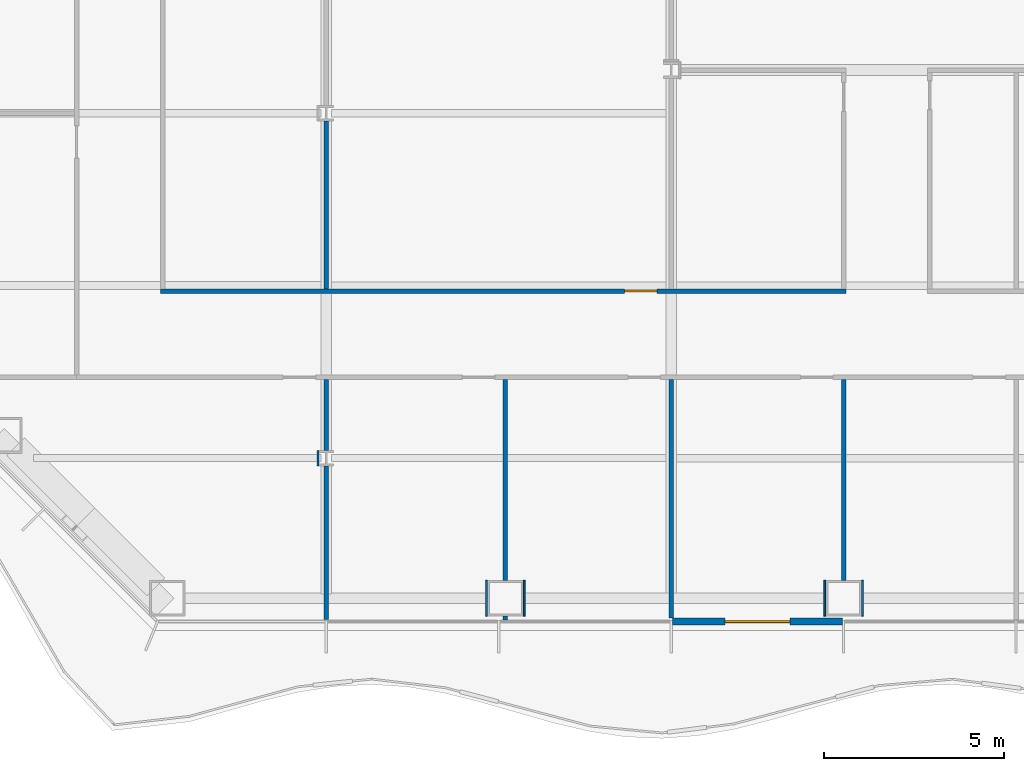
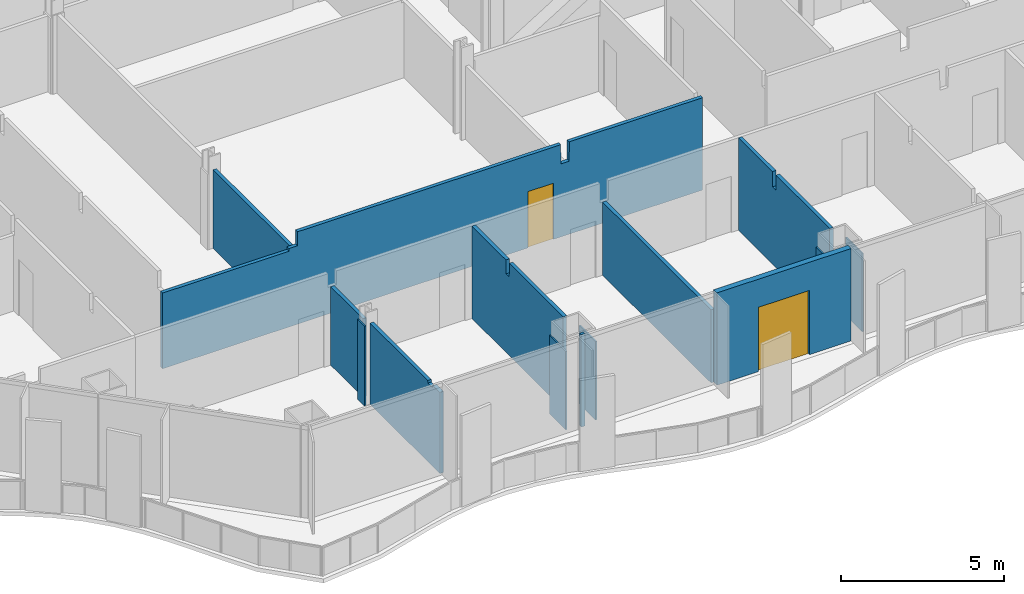
# One storey, part 6 of 21: 14 walls, 2 doors, 2 openings.
"""IFC4 building model written with IfcOpenShell, lengths in metres."""

import ifcopenshell
import ifcopenshell.guid

model = None  # the IFC model being written
_history = None  # IfcOwnerHistory: only IFC2X3 demands one
_inside = {}  # id of a spatial element -> (the spatial element, [elements in it])
_under = {}  # id of a project, library or spatial element -> (it, [spatial elements below it])
_declared = {}  # id of a project -> (the project, [libraries it declares])
_typed = {}  # id of a type object -> (the type object, [elements of that type])
_made_of = {}  # id of a material, layer set ... -> (it, [elements and type objects made of it])


def new_model(schema):
    """Start an empty IFC model of exactly this schema.

    Asked for "IFC4X3", IfcOpenShell would pick the latest addendum, in which some entities
    have other attributes; the version numbers below select the first issue.
    IFC2X3 requires an IfcOwnerHistory on every rooted entity: one is made here for all.
    """
    global model, _history
    if schema == "IFC4X3":
        model = ifcopenshell.file(schema_version=(4, 3, 0, 0))
    else:
        model = ifcopenshell.file(schema=schema)
    _inside.clear()
    _under.clear()
    _declared.clear()
    _typed.clear()
    _made_of.clear()
    _history = None
    if model.schema == "IFC2X3":
        org = make("IfcOrganization", Name="unknown")
        user = make(
            "IfcPersonAndOrganization",
            ThePerson=make("IfcPerson", FamilyName="unknown"),
            TheOrganization=org,
        )
        app = make(
            "IfcApplication",
            ApplicationDeveloper=org,
            Version="unknown",
            ApplicationFullName="unknown",
            ApplicationIdentifier="unknown",
        )
        _history = make(
            "IfcOwnerHistory",
            OwningUser=user,
            OwningApplication=app,
            ChangeAction="ADDED",
            CreationDate=0,
        )
    return model


def make(cls, **values):
    """One entity of the class cls with the attributes given. An attribute that is None is left unset."""
    return model.create_entity(
        cls, **{name: value for name, value in values.items() if value is not None}
    )


def rooted(cls, **values):
    """An entity with a GlobalId (a new one), such as an element, a storey or a relation."""
    return make(cls, GlobalId=ifcopenshell.guid.new(), OwnerHistory=_history, **values)


def si_unit(unit_type, name, prefix=None):
    """IfcSIUnit, for example si_unit("LENGTHUNIT", "METRE", prefix="MILLI")."""
    return make("IfcSIUnit", UnitType=unit_type, Prefix=prefix, Name=name)


def assignment(units):
    """IfcUnitAssignment: the units of a project."""
    return None if units is None else make("IfcUnitAssignment", Units=units)


def point(xyz):
    """IfcCartesianPoint."""
    return None if xyz is None else make("IfcCartesianPoint", Coordinates=xyz)


def direction(xyz):
    """IfcDirection."""
    return None if xyz is None else make("IfcDirection", DirectionRatios=xyz)


def frame(location, z_axis=None, x_axis=None):
    """IfcAxis2Placement3D, a coordinate frame: its origin and axes. An axis left out is left unset."""
    return make(
        "IfcAxis2Placement3D",
        Location=point(location),
        Axis=direction(z_axis),
        RefDirection=direction(x_axis),
    )


def frame_2d(location, x_axis=None):
    """IfcAxis2Placement2D, a coordinate frame in the plane: its origin and x axis."""
    return make(
        "IfcAxis2Placement2D", Location=point(location), RefDirection=direction(x_axis)
    )


def origin():
    """The frame at (0, 0, 0) with its axes left unset."""
    return frame((0.0, 0.0, 0.0))


def place(relative_to, where):
    """IfcLocalPlacement: puts the frame where relative to a parent placement (None: the world)."""
    return make(
        "IfcLocalPlacement", PlacementRelTo=relative_to, RelativePlacement=where
    )


def context(
    kind, dimensions, precision=None, world=None, true_north=None, identifier=None
):
    """IfcGeometricRepresentationContext, for example the 3D "Model" context."""
    return make(
        "IfcGeometricRepresentationContext",
        ContextIdentifier=identifier,
        ContextType=kind,
        CoordinateSpaceDimension=dimensions,
        Precision=precision,
        WorldCoordinateSystem=world,
        TrueNorth=true_north,
    )


def subcontext(parent, identifier, kind, view, scale=None):
    """IfcGeometricRepresentationSubContext, for example "Body" below "Model"."""
    return make(
        "IfcGeometricRepresentationSubContext",
        ContextIdentifier=identifier,
        ContextType=kind,
        ParentContext=parent,
        TargetScale=scale,
        TargetView=view,
    )


def project(units=None, contexts=None):
    """IfcProject with its units and contexts."""
    return rooted(
        "IfcProject",
        Name="project",
        RepresentationContexts=contexts,
        UnitsInContext=assignment(units),
    )


def spatial(cls, under=None, at=None, **own):
    """A site, building, storey or space (cls), placed at a placement, below another one or the project."""
    s = rooted(cls, ObjectPlacement=at, **own)
    if under is not None:
        _under.setdefault(under.id(), (under, []))[1].append(s)
    return s


def polyline(points):
    """IfcPolyline through the points."""
    return make("IfcPolyline", Points=[point(p) for p in points])


def profile(cls, at=None, kind="AREA", **sizes):
    """A parametric profile (cls). Its sizes go by their IFC names, for example OverallWidth=200.0."""
    return make(cls, ProfileType=kind, Position=at, **sizes)


def rectangle(**sizes):
    """IfcRectangleProfileDef."""
    return profile("IfcRectangleProfileDef", **sizes)


def outline(outer, holes=None, kind="AREA"):
    """IfcArbitraryClosedProfileDef: a profile drawn as a closed curve; with holes, ...WithVoids."""
    if holes is None:
        return make("IfcArbitraryClosedProfileDef", ProfileType=kind, OuterCurve=outer)
    return make(
        "IfcArbitraryProfileDefWithVoids",
        ProfileType=kind,
        OuterCurve=outer,
        InnerCurves=holes,
    )


def extrude(swept, where, along, depth):
    """IfcExtrudedAreaSolid: the profile swept, set in the frame where, extruded along a direction by depth."""
    return make(
        "IfcExtrudedAreaSolid",
        SweptArea=swept,
        Position=where,
        ExtrudedDirection=direction(along),
        Depth=depth,
    )


def shape(context_of_items, identifier, shape_type, items):
    """IfcShapeRepresentation: the items that make up one representation, for example the "Body"."""
    return make(
        "IfcShapeRepresentation",
        ContextOfItems=context_of_items,
        RepresentationIdentifier=identifier,
        RepresentationType=shape_type,
        Items=items,
    )


def material(Name=None, Category=None):
    """IfcMaterial."""
    return make("IfcMaterial", Name=Name, Category=Category)


def layer(
    of_material, thickness, ventilated=None, Name=None, Category=None, Priority=None
):
    """IfcMaterialLayer: one layer of a wall or slab, of a material (None: an air gap)."""
    return make(
        "IfcMaterialLayer",
        Material=of_material,
        LayerThickness=thickness,
        IsVentilated=ventilated,
        Name=Name,
        Category=Category,
        Priority=Priority,
    )


def layer_set(layers, Name=None):
    """IfcMaterialLayerSet."""
    return make("IfcMaterialLayerSet", MaterialLayers=layers, LayerSetName=Name)


def made_of(thing, what):
    """Note that an element or type object is made of a material, layer set ...; save() writes the relation."""
    if what is not None:
        _made_of.setdefault(what.id(), (what, []))[1].append(thing)
    return thing


def type_object(cls, material=None, **own):
    """A type object (cls), such as IfcWallType, which elements share."""
    return made_of(rooted(cls, **own), material)


def element(
    cls,
    number,
    at=None,
    inside=None,
    cuts=None,
    type_object=None,
    material=None,
    context=None,
    identifier="Body",
    shape_type=None,
    held_by="IfcProductDefinitionShape",
    body=None,
    shapes=None,
    **own,
):
    """One element of the class cls, such as IfcWall. Its Tag is "e" and its number.

    at: its placement. inside: the storey or other place that contains it. cuts: it is an
    opening in that element (IfcRelVoidsElement). A single representation is given by context,
    identifier, shape_type and body (its items); several are given by shapes. held_by: the class
    of the entity that holds the representations. save() writes the other relations.
    """
    e = rooted(cls, Tag="e%d" % number, ObjectPlacement=at, **own)
    if body is not None:
        shapes = [shape(context, identifier, shape_type, body)]
    if shapes is not None:
        e.Representation = make(held_by, Representations=shapes)
    if inside is not None:
        _inside.setdefault(inside.id(), (inside, []))[1].append(e)
    if cuts is not None:
        rooted(
            "IfcRelVoidsElement", RelatingBuildingElement=cuts, RelatedOpeningElement=e
        )
    if type_object is not None:
        _typed.setdefault(type_object.id(), (type_object, []))[1].append(e)
    return made_of(e, material)


def fill(opening, filler):
    """IfcRelFillsElement: the door or window that sits in an opening."""
    return rooted(
        "IfcRelFillsElement",
        RelatingOpeningElement=opening,
        RelatedBuildingElement=filler,
    )


def aggregate(whole, parts):
    """IfcRelAggregates: a whole, such as a stair, and the parts it consists of."""
    return rooted("IfcRelAggregates", RelatingObject=whole, RelatedObjects=parts)


def save(model, path):
    """Write the relations noted so far, then the file.

    IfcRelAggregates (storeys below a building ...), IfcRelContainedInSpatialStructure (elements
    in a storey), IfcRelDefinesByType, IfcRelAssociatesMaterial and IfcRelDeclares: one each for
    every whole, place, type object, material and project.
    """
    for whole, parts in _under.values():
        aggregate(whole, parts)
    for where, things in _inside.values():
        rooted(
            "IfcRelContainedInSpatialStructure",
            RelatedElements=things,
            RelatingStructure=where,
        )
    for kind, things in _typed.values():
        rooted("IfcRelDefinesByType", RelatedObjects=things, RelatingType=kind)
    for what, things in _made_of.values():
        rooted("IfcRelAssociatesMaterial", RelatedObjects=things, RelatingMaterial=what)
    for by, libraries in _declared.values():
        rooted("IfcRelDeclares", RelatingContext=by, RelatedDefinitions=libraries)
    model.write(path)


model = new_model("IFC4")

# Units and contexts
model_context = context("Model", 3, precision=1e-05, world=origin(), true_north=direction((0.0, 1.0)))
body_context = subcontext(model_context, "Body", "Model", "MODEL_VIEW")
ifc_project = project(units=[si_unit("LENGTHUNIT", "METRE"), si_unit("AREAUNIT", "SQUARE_METRE"), si_unit("VOLUMEUNIT", "CUBIC_METRE"), si_unit("PLANEANGLEUNIT", "RADIAN"), si_unit("MASSUNIT", "GRAM", prefix="KILO")], contexts=[model_context])

# Site, building, storey
site_placement = place(None, origin())
site = spatial("IfcSite", under=ifc_project, at=site_placement, CompositionType="ELEMENT")
building_placement = place(site_placement, origin())
building = spatial("IfcBuilding", under=site, at=building_placement, Name="Cairn Pilgrim Tower", CompositionType="ELEMENT")
storey_placement = place(building_placement, frame((0.0, 0.0, 54.60009765625)))
storey = spatial("IfcBuildingStorey", under=building, at=storey_placement, Name="L11", CompositionType="ELEMENT", Elevation=54.60009765625)

# Wall, opening, door
ifc_material_1 = material(Name="Bronze anodised aluminium insulated sandwich panel with mineral wool fill", Category="aluminium")
ifc_layer_1 = layer(ifc_material_1, 0.199951171875)
ifc_layer_set_1 = layer_set([ifc_layer_1], Name="BRONZE INFILL FRAME WALL 200")
wall_type_1 = type_object("IfcWallType", Name="BRONZE INFILL FRAME WALL 200", PredefinedType="NOTDEFINED", material=ifc_layer_set_1)
wall_1_placement = place(storey_placement, frame((-4.77001953125, -23.75, 0.0), z_axis=(0.0, 0.0, 1.0), x_axis=(1.0, 0.0, 0.0)))
wall_1 = element("IfcWall", 1, at=wall_1_placement, inside=storey, type_object=wall_type_1, Name="Bronze infill frame wall IW-S4", PredefinedType="NOTDEFINED", context=body_context, shape_type="SweptSolid", body=[
    extrude(rectangle(XDim=4.739990234375, YDim=0.199951171875, at=frame_2d((2.3701171875, 0.0))), origin(), (0.0, 0.0, 1.0), 3.449951171875),
])
opening_1_placement = place(wall_1_placement, frame((1.469970703125, 0.0, 0.0)))
opening_1 = element("IfcOpeningElement", 2, at=opening_1_placement, cuts=wall_1, Name="Opening 1104B", PredefinedType="OPENING", context=body_context, shape_type="SweptSolid", body=[
    extrude(rectangle(XDim=1.800048828125, YDim=2.39990234375, at=frame_2d((0.89990234375, 1.199951171875))), frame((0.0, 0.10986328125, 0.0), z_axis=(0.0, -1.0, 0.0), x_axis=(1.0, 0.0, 0.0)), (0.0, 0.0, 1.0), 0.219970703125),
])
ifc_material_2 = material(Name="Bronze anodised aluminium frame with tinted low-E glass", Category="aluminium")
door_type_1 = type_object("IfcDoorType", Name="BALCONY SLIDING DOOR 1800x2400", OperationType="DOUBLE_DOOR_SLIDING", PredefinedType="DOOR", material=ifc_material_2)
door_1_placement = place(opening_1_placement, origin())
door_1 = element("IfcDoor", 3, at=door_1_placement, inside=storey, type_object=door_type_1, Name="Balcony sliding door 1104B", OperationType="SINGLE_SWING_LEFT", OverallHeight=2.39990234375, OverallWidth=1.800048828125, PredefinedType="DOOR", context=body_context, shape_type="SweptSolid", body=[
    extrude(rectangle(XDim=1.800048828125, YDim=2.39990234375, at=frame_2d((0.89990234375, 1.199951171875))), frame((0.0, 0.02490234375, 0.0), z_axis=(0.0, -1.0, 0.0), x_axis=(1.0, 0.0, 0.0)), (0.0, 0.0, 1.0), 0.050048828125),
])
fill(opening_1, door_1)

# Walls
ifc_material_3 = material(Name="Gypsum partition")
ifc_layer_2 = layer(ifc_material_3, 0.125)
ifc_layer_set_2 = layer_set([ifc_layer_2], Name="PARTITION 125 DRYWALL EI 60")
wall_type_2 = type_object("IfcWallType", Name="PARTITION 125 DRYWALL EI 60", PredefinedType="PARTITIONING", material=ifc_layer_set_2)
wall_2_placement = place(storey_placement, frame((-14.39990234375, -23.68994140625, 0.0), z_axis=(0.0, 0.0, 1.0), x_axis=(0.0, 1.0, 0.0)))
element("IfcWall", 4, at=wall_2_placement, inside=storey, type_object=wall_type_2, Name="PARTITION W001", PredefinedType="PARTITIONING", context=body_context, shape_type="SweptSolid", body=[
    extrude(outline(polyline([(0.0, 0.0), (4.27734375, 0.0), (4.277587890625, 3.02978515625), (0.739990234375, 3.02978515625), (0.738037109375, 2.929931640625), (0.43994140625, 2.929931640625), (0.43798828125, 3.02978515625), (0.0, 3.02978515625), (0.0, 0.0)])), frame((0.0, 0.0625, 0.0), z_axis=(0.0, -1.0, 0.0), x_axis=(1.0, 0.0, 0.0)), (0.0, 0.0, 1.0), 0.125),
])
wall_3_placement = place(storey_placement, frame((-9.4140625, -23.702880859375, 0.0), z_axis=(0.0, 0.0, 1.0), x_axis=(0.0, 1.0, 0.0)))
element("IfcWall", 5, at=wall_3_placement, inside=storey, type_object=wall_type_2, Name="PARTITION W002", PredefinedType="PARTITIONING", context=body_context, shape_type="SweptSolid", body=[
    extrude(rectangle(XDim=0.102783203125, YDim=0.125, at=frame_2d((0.05126953125, 0.0))), origin(), (0.0, 0.0, 1.0), 3.449951171875),
])
wall_4_placement = place(storey_placement, frame((-4.800048828125, -23.64990234375, 0.0), z_axis=(0.0, 0.0, 1.0), x_axis=(0.0, 1.0, 0.0)))
element("IfcWall", 6, at=wall_4_placement, inside=storey, type_object=wall_type_2, Name="PARTITION W003", PredefinedType="PARTITIONING", context=body_context, shape_type="SweptSolid", body=[
    extrude(rectangle(XDim=6.637451171875, YDim=0.125, at=frame_2d((3.31884765625, 0.0))), origin(), (0.0, 0.0, 1.0), 2.72998046875),
])
wall_5_placement = place(storey_placement, frame((-9.4140625, -22.60009765625, 0.0), z_axis=(0.0, 0.0, 1.0), x_axis=(0.0, 1.0, 0.0)))
element("IfcWall", 7, at=wall_5_placement, inside=storey, type_object=wall_type_2, Name="PARTITION W007", PredefinedType="PARTITIONING", context=body_context, shape_type="SweptSolid", body=[
    extrude(outline(polyline([(0.0, 0.0), (5.587646484375, 0.0), (5.58740234375, 3.449951171875), (3.5, 3.449951171875), (3.498046875, 2.929931640625), (3.300048828125, 2.929931640625), (3.298095703125, 3.449951171875), (0.0, 3.449951171875), (0.0, 0.0)])), frame((0.0, 0.0625, 0.0), z_axis=(0.0, -1.0, 0.0), x_axis=(1.0, 0.0, 0.0)), (0.0, 0.0, 1.0), 0.125),
])
wall_6_placement = place(storey_placement, frame((0.0, -22.60009765625, 0.0), z_axis=(0.0, 0.0, 1.0), x_axis=(0.0, 1.0, 0.0)))
element("IfcWall", 8, at=wall_6_placement, inside=storey, type_object=wall_type_2, Name="PARTITION W008", PredefinedType="PARTITIONING", context=body_context, shape_type="SweptSolid", body=[
    extrude(outline(polyline([(0.0, 0.0), (5.587646484375, 0.0), (5.58740234375, 3.449951171875), (3.5048828125, 3.449951171875), (3.5029296875, 2.8798828125), (3.294921875, 2.8798828125), (3.29296875, 3.449951171875), (0.0, 3.449951171875), (0.0, 0.0)])), frame((0.0, 0.0625, 0.0), z_axis=(0.0, -1.0, 0.0), x_axis=(1.0, 0.0, 0.0)), (0.0, 0.0, 1.0), 0.125),
])
wall_7_placement = place(storey_placement, frame((-14.39990234375, -18.987548828125, 0.0), z_axis=(0.0, 0.0, 1.0), x_axis=(0.0, 1.0, 0.0)))
element("IfcWall", 9, at=wall_7_placement, inside=storey, type_object=wall_type_2, Name="PARTITION W011", PredefinedType="PARTITIONING", context=body_context, shape_type="SweptSolid", body=[
    extrude(rectangle(XDim=1.97509765625, YDim=0.125, at=frame_2d((0.987548828125, 0.0))), origin(), (0.0, 0.0, 1.0), 2.929931640625),
])

# Wall, opening, door
wall_8_placement = place(storey_placement, frame((-19.012451171875, -14.550048828125, 0.0), z_axis=(0.0, 0.0, 1.0), x_axis=(1.0, 0.0, 0.0)))
wall_8 = element("IfcWall", 10, at=wall_8_placement, inside=storey, type_object=wall_type_2, Name="PARTITION W016", PredefinedType="PARTITIONING", context=body_context, shape_type="SweptSolid", body=[
    extrude(outline(polyline([(0.0, 0.0), (19.074951171875, 0.0), (19.074951171875, 3.449951171875), (14.362548828125, 3.449951171875), (14.360595703125, 2.72998046875), (14.0625, 2.72998046875), (14.060546875, 3.449951171875), (4.762451171875, 3.449951171875), (4.760498046875, 2.929931640625), (4.46240234375, 2.929931640625), (4.46044921875, 2.829833984375), (0.0, 2.829833984375), (0.0, 0.0)])), frame((0.0, 0.0625, 0.0), z_axis=(0.0, -1.0, 0.0), x_axis=(1.0, 0.0, 0.0)), (0.0, 0.0, 1.0), 0.125),
])
opening_2_placement = place(wall_8_placement, frame((12.91259765625, 0.0, 0.0)))
opening_2 = element("IfcOpeningElement", 11, at=opening_2_placement, cuts=wall_8, Name="Opening 1128", PredefinedType="OPENING", context=body_context, shape_type="SweptSolid", body=[
    extrude(rectangle(XDim=0.89990234375, YDim=2.10009765625, at=frame_2d((0.449951171875, 1.050048828125))), frame((0.0, 0.072509765625, 0.0), z_axis=(0.0, -1.0, 0.0), x_axis=(1.0, 0.0, 0.0)), (0.0, 0.0, 1.0), 0.14501953125),
])
ifc_material_4 = material(Name="Steel-faced fire door leaf", Category="steel")
door_type_2 = type_object("IfcDoorType", Name="FIRE DOOR 900x2100 FD30S", OperationType="NOTDEFINED", PredefinedType="DOOR", material=ifc_material_4)
door_2_placement = place(opening_2_placement, origin())
door_2 = element("IfcDoor", 12, at=door_2_placement, inside=storey, type_object=door_type_2, Name="DOOR 1128", OperationType="SINGLE_SWING_LEFT", OverallHeight=2.10009765625, OverallWidth=0.89990234375, PredefinedType="DOOR", context=body_context, shape_type="SweptSolid", body=[
    extrude(rectangle(XDim=0.89990234375, YDim=2.10009765625, at=frame_2d((0.449951171875, 1.050048828125))), frame((0.0, 0.02490234375, 0.0), z_axis=(0.0, -1.0, 0.0), x_axis=(1.0, 0.0, 0.0)), (0.0, 0.0, 1.0), 0.050048828125),
])
fill(opening_2, door_2)

# Walls
wall_9_placement = place(storey_placement, frame((-14.39990234375, -14.487548828125, 0.0), z_axis=(0.0, 0.0, 1.0), x_axis=(0.0, 1.0, 0.0)))
element("IfcWall", 13, at=wall_9_placement, inside=storey, type_object=wall_type_2, Name="PARTITION W019", PredefinedType="PARTITIONING", context=body_context, shape_type="SweptSolid", body=[
    extrude(rectangle(XDim=4.675048828125, YDim=0.125, at=frame_2d((2.33740234375, 0.0))), origin(), (0.0, 0.0, 1.0), 2.929931640625),
])
ifc_layer_3 = layer(ifc_material_3, 0.050048828125)
ifc_layer_set_3 = layer_set([ifc_layer_3], Name="PARTITION 50 DRYWALL EI 60")
wall_type_3 = type_object("IfcWallType", Name="PARTITION 50 DRYWALL EI 60", PredefinedType="PARTITIONING", material=ifc_layer_set_3)
wall_10_placement = place(storey_placement, frame((-14.62939453125, -19.41259765625, 0.0), z_axis=(0.0, 0.0, 1.0), x_axis=(0.0, 1.0, 0.0)))
element("IfcWall", 14, at=wall_10_placement, inside=storey, type_object=wall_type_3, Name="COLUMN CASING WC01", PredefinedType="PARTITIONING", context=body_context, shape_type="SweptSolid", body=[
    extrude(rectangle(XDim=0.425048828125, YDim=0.050048828125, at=frame_2d((0.21240234375, 0.0))), origin(), (0.0, 0.0, 1.0), 2.97998046875),
])
for number, where, z_axis, x_axis, name in (
    (15, (-9.938720703125, -23.60009765625, 0.0), (0.0, 0.0, 1.0), (0.0, 1.0, 0.0), "COLUMN CASING WC02"),
    (16, (-8.888671875, -23.60009765625, 0.0), (0.0, 0.0, 1.0), (0.0, 1.0, 0.0), "COLUMN CASING WC03"),
    (17, (-0.52490234375, -23.60009765625, 0.0), (0.0, 0.0, 1.0), (0.0, 1.0, 0.0), "COLUMN CASING WC04"),
    (18, (0.52490234375, -23.60009765625, 0.0), (0.0, 0.0, 1.0), (0.0, 1.0, 0.0), "COLUMN CASING WC05"),
):
    element("IfcWall", number, at=place(storey_placement, frame(where, z_axis=z_axis, x_axis=x_axis)), inside=storey, type_object=wall_type_3, Name=name, PredefinedType="PARTITIONING", context=body_context, shape_type="SweptSolid", body=[
        extrude(rectangle(XDim=1.0, YDim=0.050048828125, at=frame_2d((0.5, 0.0))), origin(), (0.0, 0.0, 1.0), 2.929931640625),
    ])

save(model, "model.ifc")
